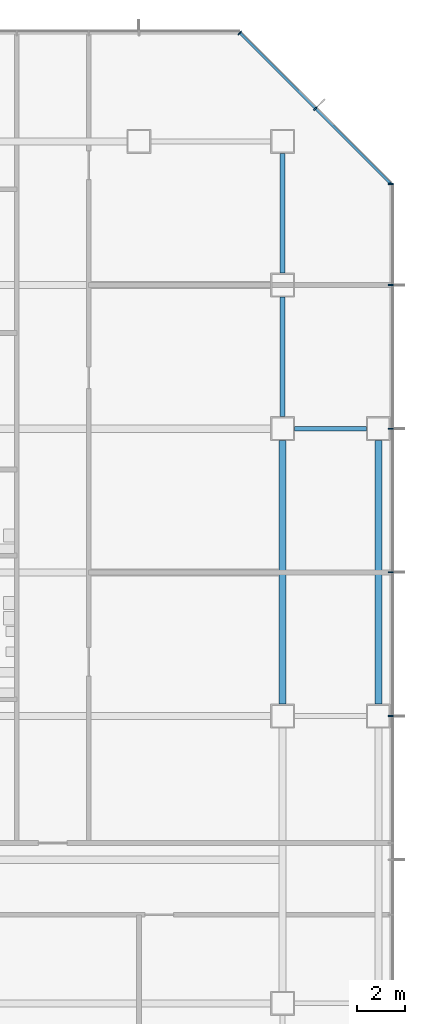
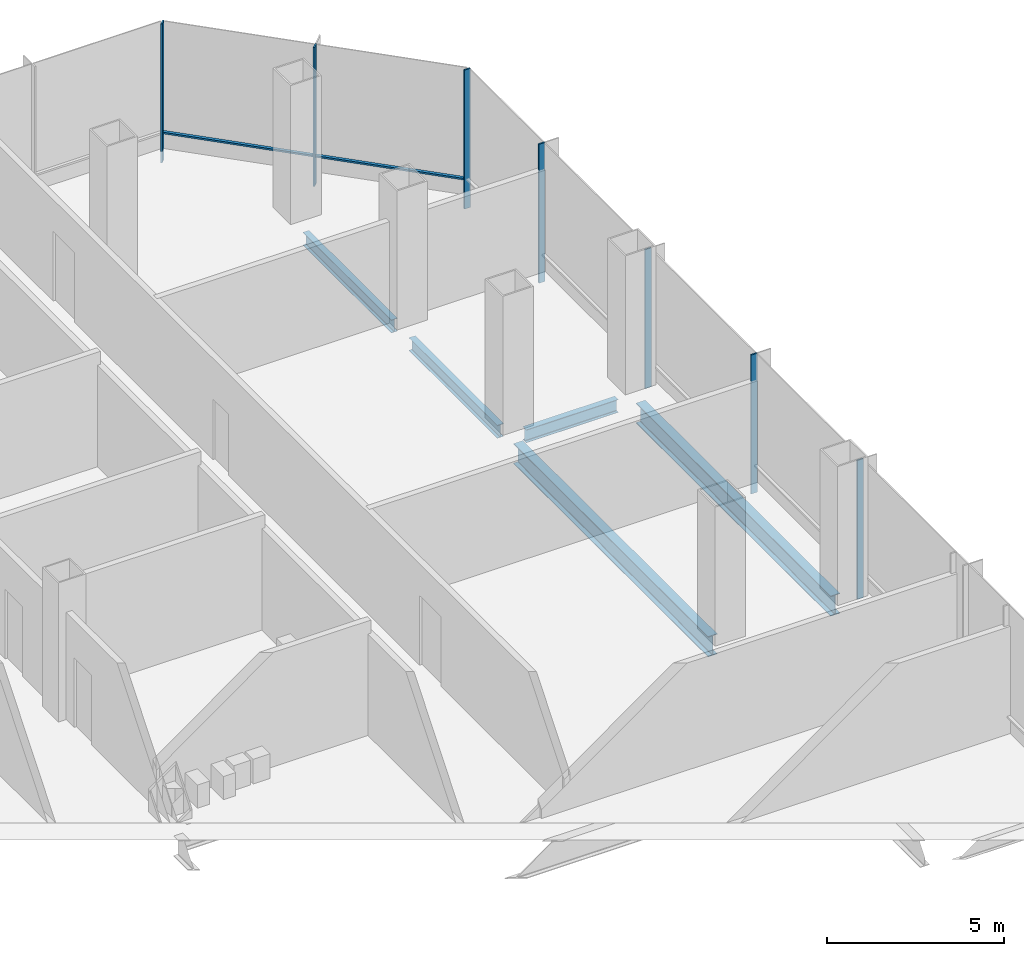
# One storey, part 19 of 33: 8 members, 5 beams, 2 elements without a shape of their own.
"""IFC4 building model written with IfcOpenShell, lengths in metres."""

from ifc_helpers import new_model, si_unit, direction, frame, origin, origin_2d, place, context, subcontext, project, spatial, rectangle, i_section, extrude, material, material_profile, profile_set, type_object, element, aggregate, save


model = new_model("IFC4")

# Units and contexts
model_context = context("Model", 3, precision=1e-05, world=origin(), true_north=direction((0.0, 1.0)))
body_context = subcontext(model_context, "Body", "Model", "MODEL_VIEW")
ifc_project = project(units=[si_unit("LENGTHUNIT", "METRE"), si_unit("AREAUNIT", "SQUARE_METRE"), si_unit("VOLUMEUNIT", "CUBIC_METRE"), si_unit("PLANEANGLEUNIT", "RADIAN"), si_unit("MASSUNIT", "GRAM", prefix="KILO")], contexts=[model_context])

# Site, building, storey
site_placement = place(None, origin())
site = spatial("IfcSite", under=ifc_project, at=site_placement, CompositionType="ELEMENT")
building_placement = place(site_placement, origin())
building = spatial("IfcBuilding", under=site, at=building_placement, Name="Sorahane Residences", CompositionType="ELEMENT")
storey_placement = place(building_placement, frame((0.0, 0.0, 34.800048828125)))
storey = spatial("IfcBuildingStorey", under=building, at=storey_placement, Name="L05", CompositionType="ELEMENT", Elevation=34.800048828125)

# Curtain wall, members
ifc_material_1 = material(Name="Dark low-e glass and black anodised aluminium", Category="aluminium")
curtain_wall_type = type_object("IfcCurtainWallType", Name="Curtain wall CW-3 Podium unitised wall", PredefinedType="NOTDEFINED", material=ifc_material_1)
curtain_wall_1_placement = place(storey_placement, origin())
curtain_wall_1 = element("IfcCurtainWall", 1, at=curtain_wall_1_placement, inside=storey, type_object=curtain_wall_type, Name="CW-3 curtain wall L05 E1", PredefinedType="NOTDEFINED")
ifc_material_2 = material(Name="Black anodised aluminium", Category="aluminium")
ifc_material_profile_1 = material_profile(ifc_material_2, rectangle(XDim=0.199951171875, YDim=0.050048828125, at=origin_2d()), Name="Curtain wall mullion CW-3 black anodised aluminium 50x200")
ifc_profile_set_1 = profile_set([ifc_material_profile_1], Name="Black anodised aluminium")
member_type_1 = type_object("IfcMemberType", Name="Curtain wall mullion CW-3 black anodised aluminium 50x200", PredefinedType="MULLION", material=ifc_profile_set_1)
member_1_placement = place(storey_placement, frame((70.52001953125, 24.0, -0.400146484375), z_axis=(0.0, 0.0, 1.0), x_axis=(1.0, 0.0, 0.0)))
member_1 = element("IfcMember", 2, at=member_1_placement, type_object=member_type_1, Name="CW-3 mullion L05 E1.7", PredefinedType="MULLION", context=body_context, shape_type="SweptSolid", body=[
    extrude(rectangle(XDim=0.199951171875, YDim=0.050048828125, at=origin_2d()), origin(), (0.0, 0.0, 1.0), 4.800048828125),
])
member_2_placement = place(storey_placement, frame((70.52001953125, 30.0, -0.400146484375), z_axis=(0.0, 0.0, 1.0), x_axis=(1.0, 0.0, 0.0)))
member_2 = element("IfcMember", 3, at=member_2_placement, type_object=member_type_1, Name="CW-3 mullion L05 E1.8", PredefinedType="MULLION", context=body_context, shape_type="SweptSolid", body=[
    extrude(rectangle(XDim=0.199951171875, YDim=0.050048828125, at=origin_2d()), origin(), (0.0, 0.0, 1.0), 4.800048828125),
])
member_3_placement = place(storey_placement, frame((70.52001953125, 36.0, -0.400146484375), z_axis=(0.0, 0.0, 1.0), x_axis=(1.0, 0.0, 0.0)))
member_3 = element("IfcMember", 4, at=member_3_placement, type_object=member_type_1, Name="CW-3 mullion L05 E1.9", PredefinedType="MULLION", context=body_context, shape_type="SweptSolid", body=[
    extrude(rectangle(XDim=0.199951171875, YDim=0.050048828125, at=origin_2d()), origin(), (0.0, 0.0, 1.0), 4.800048828125),
])
member_4_placement = place(storey_placement, frame((70.52001953125, 42.0, -0.400146484375), z_axis=(0.0, 0.0, 1.0), x_axis=(1.0, 0.0, 0.0)))
member_4 = element("IfcMember", 5, at=member_4_placement, type_object=member_type_1, Name="CW-3 mullion L05 E1.10", PredefinedType="MULLION", context=body_context, shape_type="SweptSolid", body=[
    extrude(rectangle(XDim=0.199951171875, YDim=0.050048828125, at=origin_2d()), origin(), (0.0, 0.0, 1.0), 4.800048828125),
])
member_5_placement = place(storey_placement, frame((70.52001953125, 46.2236328125, -0.400146484375), z_axis=(0.0, 0.0, 1.0), x_axis=(1.0, 0.0, 0.0)))
member_5 = element("IfcMember", 6, at=member_5_placement, type_object=member_type_1, Name="CW-3 mullion L05 E1.11", PredefinedType="MULLION", context=body_context, shape_type="SweptSolid", body=[
    extrude(rectangle(XDim=0.199951171875, YDim=0.050048828125, at=origin_2d()), origin(), (0.0, 0.0, 1.0), 4.800048828125),
])
aggregate(curtain_wall_1, [member_1, member_2, member_3, member_4, member_5])

curtain_wall_2_placement = place(storey_placement, origin())
curtain_wall_2 = element("IfcCurtainWall", 7, at=curtain_wall_2_placement, inside=storey, type_object=curtain_wall_type, Name="CW-3 curtain wall L05 NE1", PredefinedType="NOTDEFINED")
member_6_placement = place(storey_placement, frame((67.36767578125, 49.36767578125, -0.400146484375), z_axis=(0.0, 0.0, 1.0), x_axis=(0.707106781187, 0.707106781187, 0.0)))
member_6 = element("IfcMember", 8, at=member_6_placement, type_object=member_type_1, Name="CW-3 mullion L05 NE1.2", PredefinedType="MULLION", context=body_context, shape_type="SweptSolid", body=[
    extrude(rectangle(XDim=0.199951171875, YDim=0.050048828125, at=origin_2d()), origin(), (0.0, 0.0, 1.0), 4.800048828125),
])
member_7_placement = place(storey_placement, frame((64.209716796875, 52.525634765625, -0.400146484375), z_axis=(0.0, 0.0, 1.0), x_axis=(0.707106781187, 0.707106781187, 0.0)))
member_7 = element("IfcMember", 9, at=member_7_placement, type_object=member_type_1, Name="CW-3 mullion L05 NE1.3", PredefinedType="MULLION", context=body_context, shape_type="SweptSolid", body=[
    extrude(rectangle(XDim=0.199951171875, YDim=0.050048828125, at=origin_2d()), origin(), (0.0, 0.0, 1.0), 4.800048828125),
])
ifc_material_3 = material(Name="Black anodised aluminium", Category="aluminium")
ifc_material_profile_2 = material_profile(ifc_material_3, rectangle(XDim=0.10009765625, YDim=0.06005859375, at=origin_2d()), Name="Curtain wall transom CW-3 black anodised aluminium 60x100")
ifc_profile_set_2 = profile_set([ifc_material_profile_2], Name="Black anodised aluminium")
member_type_2 = type_object("IfcMemberType", Name="Curtain wall transom CW-3 black anodised aluminium 60x100", PredefinedType="USERDEFINED", material=ifc_profile_set_2)
member_8_placement = place(storey_placement, frame((70.51513671875, 46.234375, 0.599853515625), z_axis=(-0.707106781187, 0.707106781187, 0.0), x_axis=(-0.707106781187, -0.707106781187, 0.0)))
member_8 = element("IfcMember", 10, at=member_8_placement, type_object=member_type_2, Name="CW-3 transom L05 NE1", ObjectType="TRANSOM", PredefinedType="USERDEFINED", context=body_context, shape_type="SweptSolid", body=[
    extrude(rectangle(XDim=0.10009765625, YDim=0.06005859375, at=origin_2d()), origin(), (0.0, 0.0, 1.0), 8.88232421875),
])
aggregate(curtain_wall_2, [member_6, member_7, member_8])

# Beams
ifc_material_4 = material(Name="Steel Q355B", Category="steel")
ifc_material_profile_3 = material_profile(ifc_material_4, i_section(OverallWidth=0.199951171875, OverallDepth=0.449951171875, WebThickness=0.009033203125, FlangeThickness=0.013916015625, FilletRadius=0.02001953125, at=origin_2d()), Name="HN 450x200x9x14")
ifc_profile_set_3 = profile_set([ifc_material_profile_3], Name="Steel Q355B")
beam_type_1 = type_object("IfcBeamType", Name="Steel floor beam HN 450x200x9x14 Q355B", PredefinedType="BEAM", material=ifc_profile_set_3)
beam_placement = place(storey_placement, frame((66.5, 36.0, -0.625), z_axis=(1.0, 0.0, 0.0), x_axis=(0.0, 1.0, 0.0)))
element("IfcBeam", 11, at=beam_placement, inside=storey, type_object=beam_type_1, Name="Beam L05 017", PredefinedType="BEAM", context=body_context, shape_type="SweptSolid", body=[
    extrude(i_section(OverallWidth=0.199951171875, OverallDepth=0.449951171875, WebThickness=0.009033203125, FlangeThickness=0.013916015625, FilletRadius=0.02001953125, at=origin_2d()), origin(), (0.0, 0.0, 1.0), 3.0),
])
for number, where, z_axis, x_axis, name in (
    (12, (66.0, 36.5, -0.625), (0.0, 1.0, 0.0), (-1.0, 0.0, 0.0), "Beam L05 074"),
    (13, (66.0, 42.5, -0.625), (0.0, 1.0, 0.0), (-1.0, 0.0, 0.0), "Beam L05 075"),
):
    element("IfcBeam", number, at=place(storey_placement, frame(where, z_axis=z_axis, x_axis=x_axis)), inside=storey, type_object=beam_type_1, Name=name, PredefinedType="BEAM", context=body_context, shape_type="SweptSolid", body=[
        extrude(i_section(OverallWidth=0.199951171875, OverallDepth=0.449951171875, WebThickness=0.009033203125, FlangeThickness=0.013916015625, FilletRadius=0.02001953125, at=origin_2d()), origin(), (0.0, 0.0, 1.0), 5.0),
    ])
ifc_material_5 = material(Name="Steel Q355B", Category="steel")
ifc_material_profile_4 = material_profile(ifc_material_5, i_section(OverallWidth=0.300048828125, OverallDepth=0.699951171875, WebThickness=0.012939453125, FlangeThickness=0.02392578125, FilletRadius=0.028076171875, at=origin_2d()), Name="HN 700x300x13x24")
ifc_profile_set_4 = profile_set([ifc_material_profile_4], Name="Steel Q355B")
beam_type_2 = type_object("IfcBeamType", Name="Steel floor beam HN 700x300x13x24 Q355B", PredefinedType="BEAM", material=ifc_profile_set_4)
for number, where, z_axis, x_axis, name in (
    (14, (66.0, 24.5, -0.75), (0.0, 1.0, 0.0), (-1.0, 0.0, 0.0), "Beam L05 073"),
    (15, (70.0, 24.5, -0.75), (0.0, 1.0, 0.0), (-1.0, 0.0, 0.0), "Beam L05 078"),
):
    element("IfcBeam", number, at=place(storey_placement, frame(where, z_axis=z_axis, x_axis=x_axis)), inside=storey, type_object=beam_type_2, Name=name, PredefinedType="BEAM", context=body_context, shape_type="SweptSolid", body=[
        extrude(i_section(OverallWidth=0.300048828125, OverallDepth=0.699951171875, WebThickness=0.012939453125, FlangeThickness=0.02392578125, FilletRadius=0.028076171875, at=origin_2d()), origin(), (0.0, 0.0, 1.0), 11.0),
    ])

save(model, "model.ifc")
